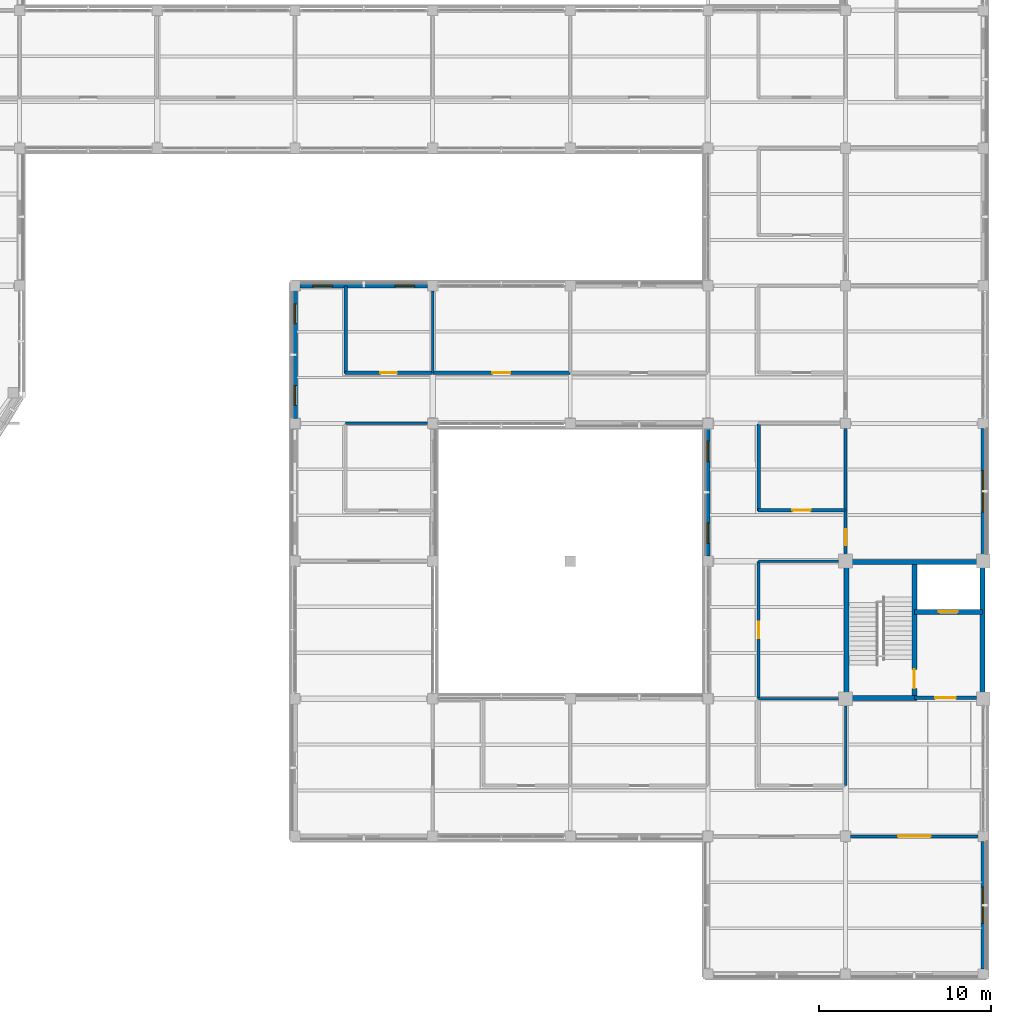
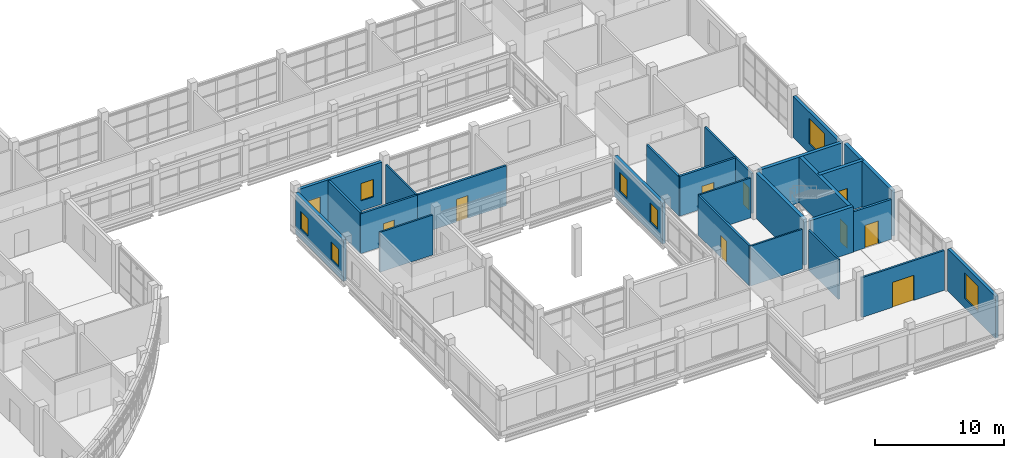
# One storey, part 93 of 121: 25 walls, 9 doors, 8 windows, 17 openings.
"""IFC4 building model written with IfcOpenShell, lengths in metres."""

from ifc_helpers import new_model, si_unit, derived_unit, direction, frame, frame_2d, origin, place, context, subcontext, project, spatial, rectangle, extrude, material, layer, layer_set, type_object, element, fill, save


model = new_model("IFC4")

# Units and contexts
model_context = context("Model", 3, precision=1e-05, world=origin(), true_north=direction((0.0, 1.0)))
body_context = subcontext(model_context, "Body", "Model", "MODEL_VIEW")
ifc_project = project(units=[si_unit("LENGTHUNIT", "METRE"), si_unit("AREAUNIT", "SQUARE_METRE"), si_unit("VOLUMEUNIT", "CUBIC_METRE"), si_unit("PLANEANGLEUNIT", "RADIAN"), si_unit("MASSUNIT", "GRAM", prefix="KILO"), derived_unit("THERMALTRANSMITTANCEUNIT", [(si_unit("MASSUNIT", "GRAM", prefix="KILO"), 1), (si_unit("TIMEUNIT", "SECOND"), -3), (si_unit("THERMODYNAMICTEMPERATUREUNIT", "KELVIN"), -1)])], contexts=[model_context])

# Site, building, storey
site_placement = place(None, origin())
site = spatial("IfcSite", under=ifc_project, at=site_placement, CompositionType="ELEMENT")
building_placement = place(site_placement, origin())
building = spatial("IfcBuilding", under=site, at=building_placement, Name="Veyamyaing Civic Hall", CompositionType="ELEMENT")
storey_placement = place(building_placement, frame((0.0, 0.0, 5.280029296875)))
storey = spatial("IfcBuildingStorey", under=building, at=storey_placement, Name="L01", CompositionType="ELEMENT", Elevation=5.280029296875)

# Walls
ifc_material_1 = material(Name="Concrete C40/50", Category="concrete")
ifc_layer_1 = layer(ifc_material_1, 0.300048828125, Name="Concrete C40/50")
ifc_layer_set_1 = layer_set([ifc_layer_1], Name="Concrete C40/50")
wall_type_1 = type_object("IfcWallType", Name="WT-05", PredefinedType="SHEAR", material=ifc_layer_set_1)
for number, where, z_axis, x_axis, name in (
    (1, (168.050048828125, 16.2900390625, 0.0), (0.0, 0.0, 1.0), (0.0, 1.0, 0.0), "Core shear wall WT-05 CORE-8 L01.W"),
    (2, (168.2900390625, 23.949951171875, 0.0), (0.0, 0.0, 1.0), (1.0, 0.0, 0.0), "Core shear wall WT-05 CORE-8 L01.N"),
    (3, (175.949951171875, 16.2900390625, 0.0), (0.0, 0.0, 1.0), (0.0, 1.0, 0.0), "Core shear wall WT-05 CORE-8 L01.E"),
):
    element("IfcWall", number, at=place(storey_placement, frame(where, z_axis=z_axis, x_axis=x_axis)), inside=storey, type_object=wall_type_1, Name=name, PredefinedType="SHEAR", context=body_context, shape_type="SweptSolid", body=[
        extrude(rectangle(XDim=7.419921875, YDim=0.300048828125, at=frame_2d((3.7099609375, 0.0))), origin(), (0.0, 0.0, 1.0), 4.3349609375),
    ])
wall_1_placement = place(storey_placement, frame((168.2900390625, 16.050048828125, 0.0), z_axis=(0.0, 0.0, 1.0), x_axis=(1.0, 0.0, 0.0)))
element("IfcWall", 4, at=wall_1_placement, inside=storey, type_object=wall_type_1, Name="Core shear wall WT-05 CORE-8 L01.SS", PredefinedType="SHEAR", context=body_context, shape_type="SweptSolid", body=[
    extrude(rectangle(XDim=3.85986328125, YDim=0.300048828125, at=frame_2d((1.929931640625, 0.0))), origin(), (0.0, 0.0, 1.0), 4.3349609375),
])

# Wall, opening, door
wall_2_placement = place(storey_placement, frame((172.0, 16.050048828125, 0.0), z_axis=(0.0, 0.0, 1.0), x_axis=(0.0, 1.0, 0.0)))
wall_2 = element("IfcWall", 5, at=wall_2_placement, inside=storey, type_object=wall_type_1, Name="Core shear wall WT-05 CORE-8 L01.MID", PredefinedType="SHEAR", context=body_context, shape_type="SweptSolid", body=[
    extrude(rectangle(XDim=7.89990234375, YDim=0.300048828125, at=frame_2d((3.949951171875, 0.0))), origin(), (0.0, 0.0, 1.0), 4.3349609375),
])
opening_1_placement = place(wall_2_placement, frame((0.550048828125, 0.0, 0.0)))
opening_1 = element("IfcOpeningElement", 6, at=opening_1_placement, cuts=wall_2, Name="Opening D-03", PredefinedType="OPENING", context=body_context, shape_type="SweptSolid", body=[
    extrude(rectangle(XDim=1.10009765625, YDim=2.14990234375, at=frame_2d((0.550048828125, 1.074951171875))), frame((0.0, 0.159912109375, 0.0), z_axis=(0.0, -1.0, 0.0), x_axis=(1.0, 0.0, 0.0)), (0.0, 0.0, 1.0), 0.320068359375),
])
ifc_material_2 = material(Name="Galvanized steel S355J2", Category="steel")
door_type_1 = type_object("IfcDoorType", Name="D-03", OperationType="NOTDEFINED", PredefinedType="DOOR", material=ifc_material_2)
door_1_placement = place(opening_1_placement, origin())
door_1 = element("IfcDoor", 7, at=door_1_placement, inside=storey, type_object=door_type_1, Name="Exit stair fire door D-03 ST-10 L01", OperationType="SINGLE_SWING_LEFT", OverallHeight=2.14990234375, OverallWidth=1.10009765625, PredefinedType="DOOR", context=body_context, shape_type="SweptSolid", body=[
    extrude(rectangle(XDim=1.10009765625, YDim=2.14990234375, at=frame_2d((0.550048828125, 1.074951171875))), frame((0.0, 0.02490234375, 0.0), z_axis=(0.0, -1.0, 0.0), x_axis=(1.0, 0.0, 0.0)), (0.0, 0.0, 1.0), 0.050048828125),
])
fill(opening_1, door_1)

wall_3_placement = place(storey_placement, frame((172.0, 21.050048828125, 0.0), z_axis=(0.0, 0.0, 1.0), x_axis=(1.0, 0.0, 0.0)))
wall_3 = element("IfcWall", 8, at=wall_3_placement, inside=storey, type_object=wall_type_1, Name="Core shear wall WT-05 CORE-8 L01.LFT", PredefinedType="SHEAR", context=body_context, shape_type="SweptSolid", body=[
    extrude(rectangle(XDim=3.949951171875, YDim=0.300048828125, at=frame_2d((1.97509765625, 0.0))), origin(), (0.0, 0.0, 1.0), 4.3349609375),
])
opening_2_placement = place(wall_3_placement, frame((1.425048828125, 0.0, 0.0)))
opening_2 = element("IfcOpeningElement", 9, at=opening_2_placement, cuts=wall_3, Name="Opening LD-01", PredefinedType="OPENING", context=body_context, shape_type="SweptSolid", body=[
    extrude(rectangle(XDim=1.10009765625, YDim=2.199951171875, at=frame_2d((0.550048828125, 1.10009765625))), frame((0.0, 0.159912109375, 0.0), z_axis=(0.0, -1.0, 0.0), x_axis=(1.0, 0.0, 0.0)), (0.0, 0.0, 1.0), 0.320068359375),
])
ifc_material_3 = material(Name="Anodised aluminium 6063-T6", Category="aluminium")
door_type_2 = type_object("IfcDoorType", Name="LD-01", OperationType="SLIDING_TO_LEFT", PredefinedType="DOOR", material=ifc_material_3)
door_2_placement = place(opening_2_placement, origin())
door_2 = element("IfcDoor", 10, at=door_2_placement, inside=storey, type_object=door_type_2, Name="Lift sliding landing door LD-01 PL-06 L01", OperationType="SLIDING_TO_LEFT", OverallHeight=2.199951171875, OverallWidth=1.10009765625, PredefinedType="DOOR", context=body_context, shape_type="SweptSolid", body=[
    extrude(rectangle(XDim=1.10009765625, YDim=2.199951171875, at=frame_2d((0.550048828125, 1.10009765625))), frame((0.0, 0.02490234375, 0.0), z_axis=(0.0, -1.0, 0.0), x_axis=(1.0, 0.0, 0.0)), (0.0, 0.0, 1.0), 0.050048828125),
])
fill(opening_2, door_2)

ifc_layer_2 = layer(ifc_material_1, 0.199951171875, Name="Concrete C40/50")
ifc_layer_set_2 = layer_set([ifc_layer_2], Name="Concrete C40/50")
wall_type_2 = type_object("IfcWallType", Name="WT-06", PredefinedType="PARTITIONING", material=ifc_layer_set_2)
wall_4_placement = place(storey_placement, frame((172.0, 16.050048828125, 0.0), z_axis=(0.0, 0.0, 1.0), x_axis=(1.0, 0.0, 0.0)))
wall_4 = element("IfcWall", 11, at=wall_4_placement, inside=storey, type_object=wall_type_2, Name="Firefighting lift lobby wall WT-06 CORE-8 L01", PredefinedType="PARTITIONING", context=body_context, shape_type="SweptSolid", body=[
    extrude(rectangle(XDim=3.610107421875, YDim=0.199951171875, at=frame_2d((1.80517578125, 0.0))), origin(), (0.0, 0.0, 1.0), 3.781005859375),
])
opening_3_placement = place(wall_4_placement, frame((1.205078125, 0.0, 0.0)))
opening_3 = element("IfcOpeningElement", 12, at=opening_3_placement, cuts=wall_4, Name="Opening D-04", PredefinedType="OPENING", context=body_context, shape_type="SweptSolid", body=[
    extrude(rectangle(XDim=1.199951171875, YDim=2.14990234375, at=frame_2d((0.60009765625, 1.074951171875))), frame((0.0, 0.10986328125, 0.0), z_axis=(0.0, -1.0, 0.0), x_axis=(1.0, 0.0, 0.0)), (0.0, 0.0, 1.0), 0.219970703125),
])
door_type_3 = type_object("IfcDoorType", Name="D-04", OperationType="NOTDEFINED", PredefinedType="DOOR", material=ifc_material_2)
door_3_placement = place(opening_3_placement, frame((1.199951171875, 0.0, 0.0), z_axis=(0.0, 0.0, 1.0), x_axis=(-1.0, 0.0, 0.0)))
door_3 = element("IfcDoor", 13, at=door_3_placement, inside=storey, type_object=door_type_3, Name="Protected lobby fire door D-04 CORE-8 L01", OperationType="SINGLE_SWING_RIGHT", OverallHeight=2.14990234375, OverallWidth=1.199951171875, PredefinedType="DOOR", context=body_context, shape_type="SweptSolid", body=[
    extrude(rectangle(XDim=1.199951171875, YDim=2.14990234375, at=frame_2d((0.60009765625, 1.074951171875))), frame((0.0, 0.02490234375, 0.0), z_axis=(0.0, -1.0, 0.0), x_axis=(1.0, 0.0, 0.0)), (0.0, 0.0, 1.0), 0.050048828125),
])
fill(opening_3, door_3)

ifc_material_4 = material(Name="Gypsum board on acoustic steel stud", Category="steel")
ifc_layer_3 = layer(ifc_material_4, 0.175048828125, Name="Gypsum board on acoustic steel stud")
ifc_layer_set_3 = layer_set([ifc_layer_3], Name="Gypsum board on acoustic steel stud")
wall_type_3 = type_object("IfcWallType", Name="WT-07", PredefinedType="PARTITIONING", material=ifc_layer_set_3)
wall_5_placement = place(storey_placement, frame((162.949951171875, 16.02001953125, 0.0), z_axis=(0.0, 0.0, 1.0), x_axis=(0.0, 1.0, 0.0)))
wall_5 = element("IfcWall", 14, at=wall_5_placement, inside=storey, type_object=wall_type_3, Name="Corridor gallery partition WT-07 L01.77.1", PredefinedType="PARTITIONING", context=body_context, shape_type="SweptSolid", body=[
    extrude(rectangle(XDim=7.9599609375, YDim=0.175048828125, at=frame_2d((3.97998046875, 0.0))), origin(), (0.0, 0.0, 1.0), 3.77099609375),
])
opening_4_placement = place(wall_5_placement, frame((3.510009765625, 0.0, 0.0)))
opening_4 = element("IfcOpeningElement", 15, at=opening_4_placement, cuts=wall_5, Name="Opening D-30", PredefinedType="OPENING", context=body_context, shape_type="SweptSolid", body=[
    extrude(rectangle(XDim=0.93994140625, YDim=2.1201171875, at=frame_2d((0.469970703125, 1.06005859375))), frame((0.0, 0.097412109375, 0.0), z_axis=(0.0, -1.0, 0.0), x_axis=(1.0, 0.0, 0.0)), (0.0, 0.0, 1.0), 0.195068359375),
])
ifc_material_5 = material(Name="Teak-veneered acoustic timber", Category="wood")
door_type_4 = type_object("IfcDoorType", Name="D-30", OperationType="NOTDEFINED", PredefinedType="DOOR", material=ifc_material_5)
door_4_placement = place(opening_4_placement, frame((0.93994140625, 0.0, 0.0), z_axis=(0.0, 0.0, 1.0), x_axis=(-1.0, 0.0, 0.0)))
door_4 = element("IfcDoor", 16, at=door_4_placement, inside=storey, type_object=door_type_4, Name="Gallery office door D-30 L01.77", OperationType="SINGLE_SWING_LEFT", OverallHeight=2.1201171875, OverallWidth=0.93994140625, PredefinedType="DOOR", context=body_context, shape_type="SweptSolid", body=[
    extrude(rectangle(XDim=0.93994140625, YDim=2.1201171875, at=frame_2d((0.469970703125, 1.06005859375))), frame((0.0, 0.02490234375, 0.0), z_axis=(0.0, -1.0, 0.0), x_axis=(1.0, 0.0, 0.0)), (0.0, 0.0, 1.0), 0.050048828125),
])
fill(opening_4, door_4)

wall_6_placement = place(storey_placement, frame((168.0, 24.389892578125, 0.0), z_axis=(0.0, 0.0, 1.0), x_axis=(0.0, 1.0, 0.0)))
wall_6 = element("IfcWall", 17, at=wall_6_placement, inside=storey, type_object=wall_type_3, Name="Interior partition wall WT-07 L01.107", PredefinedType="PARTITIONING", context=body_context, shape_type="SweptSolid", body=[
    extrude(rectangle(XDim=7.320068359375, YDim=0.175048828125, at=frame_2d((3.66015625, 0.0))), origin(), (0.0, 0.0, 1.0), 3.786865234375),
])
opening_5_placement = place(wall_6_placement, frame((0.52001953125, 0.0, 0.0)))
opening_5 = element("IfcOpeningElement", 18, at=opening_5_placement, cuts=wall_6, Name="Opening D-30", PredefinedType="OPENING", context=body_context, shape_type="SweptSolid", body=[
    extrude(rectangle(XDim=0.93994140625, YDim=2.1201171875, at=frame_2d((0.469970703125, 1.06005859375))), frame((0.0, 0.097412109375, 0.0), z_axis=(0.0, -1.0, 0.0), x_axis=(1.0, 0.0, 0.0)), (0.0, 0.0, 1.0), 0.195068359375),
])
door_5_placement = place(opening_5_placement, frame((0.93994140625, 0.0, 0.0), z_axis=(0.0, 0.0, 1.0), x_axis=(-1.0, 0.0, 0.0)))
door_5 = element("IfcDoor", 19, at=door_5_placement, inside=storey, type_object=door_type_4, Name="Interior door D-30 L01.107", OperationType="SINGLE_SWING_RIGHT", OverallHeight=2.1201171875, OverallWidth=0.93994140625, PredefinedType="DOOR", context=body_context, shape_type="SweptSolid", body=[
    extrude(rectangle(XDim=0.93994140625, YDim=2.1201171875, at=frame_2d((0.469970703125, 1.06005859375))), frame((0.0, 0.02490234375, 0.0), z_axis=(0.0, -1.0, 0.0), x_axis=(1.0, 0.0, 0.0)), (0.0, 0.0, 1.0), 0.050048828125),
])
fill(opening_5, door_5)

wall_7_placement = place(storey_placement, frame((168.2900390625, 8.0, 0.0), z_axis=(0.0, 0.0, 1.0), x_axis=(1.0, 0.0, 0.0)))
wall_7 = element("IfcWall", 20, at=wall_7_placement, inside=storey, type_object=wall_type_3, Name="Interior partition wall WT-07 L01.113", PredefinedType="PARTITIONING", context=body_context, shape_type="SweptSolid", body=[
    extrude(rectangle(XDim=7.419921875, YDim=0.175048828125, at=frame_2d((3.7099609375, 0.0))), origin(), (0.0, 0.0, 1.0), 3.77099609375),
])
opening_6_placement = place(wall_7_placement, frame((2.760009765625, 0.0, 0.0)))
opening_6 = element("IfcOpeningElement", 21, at=opening_6_placement, cuts=wall_7, Name="Opening D-31", PredefinedType="OPENING", context=body_context, shape_type="SweptSolid", body=[
    extrude(rectangle(XDim=1.89990234375, YDim=2.3798828125, at=frame_2d((0.949951171875, 1.18994140625))), frame((0.0, 0.097412109375, 0.0), z_axis=(0.0, -1.0, 0.0), x_axis=(1.0, 0.0, 0.0)), (0.0, 0.0, 1.0), 0.195068359375),
])
door_type_5 = type_object("IfcDoorType", Name="D-31", OperationType="DOUBLE_DOOR_SINGLE_SWING", PredefinedType="DOOR", material=ifc_material_5)
door_6_placement = place(opening_6_placement, frame((1.89990234375, 0.0, 0.0), z_axis=(0.0, 0.0, 1.0), x_axis=(-1.0, 0.0, 0.0)))
door_6 = element("IfcDoor", 22, at=door_6_placement, inside=storey, type_object=door_type_5, Name="Interior door D-31 L01.113", OperationType="DOUBLE_DOOR_SINGLE_SWING", OverallHeight=2.3798828125, OverallWidth=1.89990234375, PredefinedType="DOOR", context=body_context, shape_type="SweptSolid", body=[
    extrude(rectangle(XDim=1.89990234375, YDim=2.3798828125, at=frame_2d((0.949951171875, 1.18994140625))), frame((0.0, 0.02490234375, 0.0), z_axis=(0.0, -1.0, 0.0), x_axis=(1.0, 0.0, 0.0)), (0.0, 0.0, 1.0), 0.050048828125),
])
fill(opening_6, door_6)

# Walls
ifc_material_6 = material(Name="Gypsum board on steel stud", Category="steel")
ifc_layer_4 = layer(ifc_material_6, 0.14990234375, Name="Gypsum board on steel stud")
ifc_layer_set_4 = layer_set([ifc_layer_4], Name="Gypsum board on steel stud")
wall_type_4 = type_object("IfcWallType", Name="WT-08", PredefinedType="PARTITIONING", material=ifc_layer_set_4)
wall_8_placement = place(storey_placement, frame((138.949951171875, 32.0, 0.0), z_axis=(0.0, 0.0, 1.0), x_axis=(1.0, 0.0, 0.0)))
element("IfcWall", 23, at=wall_8_placement, inside=storey, type_object=wall_type_4, Name="Gallery office end partition WT-08 L01.63.1", PredefinedType="PARTITIONING", context=body_context, shape_type="SweptSolid", body=[
    extrude(rectangle(XDim=4.739990234375, YDim=0.14990234375, at=frame_2d((2.3701171875, 0.0))), origin(), (0.0, 0.0, 1.0), 3.786865234375),
])
wall_9_placement = place(storey_placement, frame((144.0, 34.949951171875, 0.0), z_axis=(0.0, 0.0, 1.0), x_axis=(0.0, 1.0, 0.0)))
element("IfcWall", 24, at=wall_9_placement, inside=storey, type_object=wall_type_4, Name="Gallery office end partition WT-08 L01.64.2", PredefinedType="PARTITIONING", context=body_context, shape_type="SweptSolid", body=[
    extrude(rectangle(XDim=4.739990234375, YDim=0.14990234375, at=frame_2d((2.3701171875, 0.0))), origin(), (0.0, 0.0, 1.0), 3.781005859375),
])
wall_10_placement = place(storey_placement, frame((162.949951171875, 16.0, 0.0), z_axis=(0.0, 0.0, 1.0), x_axis=(1.0, 0.0, 0.0)))
element("IfcWall", 25, at=wall_10_placement, inside=storey, type_object=wall_type_4, Name="Gallery office end partition WT-08 L01.76.1", PredefinedType="PARTITIONING", context=body_context, shape_type="SweptSolid", body=[
    extrude(rectangle(XDim=4.64013671875, YDim=0.14990234375, at=frame_2d((2.320068359375, 0.0))), origin(), (0.0, 0.0, 1.0), 3.77099609375),
])
for number, where, z_axis, x_axis, name in (
    (26, (168.0, 10.949951171875, 0.0), (0.0, 0.0, 1.0), (0.0, 1.0, 0.0), "Gallery office end partition WT-08 L01.76.2"),
    (27, (162.949951171875, 24.0, 0.0), (0.0, 0.0, 1.0), (1.0, 0.0, 0.0), "Gallery office end partition WT-08 L01.77.2"),
):
    element("IfcWall", number, at=place(storey_placement, frame(where, z_axis=z_axis, x_axis=x_axis)), inside=storey, type_object=wall_type_4, Name=name, PredefinedType="PARTITIONING", context=body_context, shape_type="SweptSolid", body=[
        extrude(rectangle(XDim=4.64013671875, YDim=0.14990234375, at=frame_2d((2.320068359375, 0.0))), origin(), (0.0, 0.0, 1.0), 3.781005859375),
    ])

# Wall, openings, windows
ifc_material_7 = material(Name="Precast concrete C40/50", Category="concrete")
ifc_layer_5 = layer(ifc_material_7, 0.27001953125, Name="Precast concrete C40/50")
ifc_layer_set_5 = layer_set([ifc_layer_5], Name="Precast concrete C40/50")
wall_type_5 = type_object("IfcWallType", Name="WT-18", PredefinedType="SOLIDWALL", material=ifc_layer_set_5)
wall_11_placement = place(storey_placement, frame((136.284912109375, 40.0, 0.0), z_axis=(0.0, 0.0, 1.0), x_axis=(1.0, 0.0, 0.0)))
wall_11 = element("IfcWall", 28, at=wall_11_placement, inside=storey, type_object=wall_type_5, Name="Exterior facade wall WT-18 L01 N 18.5", PredefinedType="SOLIDWALL", context=body_context, shape_type="SweptSolid", body=[
    extrude(rectangle(XDim=7.43017578125, YDim=0.27001953125, at=frame_2d((3.715087890625, 0.0))), origin(), (0.0, 0.0, 1.0), 3.97705078125),
])
opening_7_placement = place(wall_11_placement, frame((0.762451171875, 0.0, 0.949951171875)))
opening_7 = element("IfcOpeningElement", 29, at=opening_7_placement, cuts=wall_11, Name="Opening W-32", PredefinedType="OPENING", context=body_context, shape_type="SweptSolid", body=[
    extrude(rectangle(XDim=1.14990234375, YDim=1.64990234375, at=frame_2d((0.574951171875, 0.824951171875))), frame((0.0, 0.14501953125, 0.0), z_axis=(0.0, -1.0, 0.0), x_axis=(1.0, 0.0, 0.0)), (0.0, 0.0, 1.0), 0.2900390625),
])
opening_8_placement = place(wall_11_placement, frame((5.517578125, 0.0, 0.949951171875)))
opening_8 = element("IfcOpeningElement", 30, at=opening_8_placement, cuts=wall_11, Name="Opening W-32", PredefinedType="OPENING", context=body_context, shape_type="SweptSolid", body=[
    extrude(rectangle(XDim=1.14990234375, YDim=1.64990234375, at=frame_2d((0.574951171875, 0.824951171875))), frame((0.0, 0.14501953125, 0.0), z_axis=(0.0, -1.0, 0.0), x_axis=(1.0, 0.0, 0.0)), (0.0, 0.0, 1.0), 0.2900390625),
])
ifc_material_8 = material(Name="Low-E insulated glass", Category="glass")
window_type_1 = type_object("IfcWindowType", Name="W-32", PartitioningType="SINGLE_PANEL", PredefinedType="WINDOW", material=ifc_material_8)
window_1_placement = place(opening_7_placement, origin())
window_1 = element("IfcWindow", 31, at=window_1_placement, inside=storey, type_object=window_type_1, Name="Facade window W-32 L01 N 18.5.1", OverallHeight=1.64990234375, OverallWidth=1.14990234375, PartitioningType="SINGLE_PANEL", PredefinedType="WINDOW", context=body_context, shape_type="SweptSolid", body=[
    extrude(rectangle(XDim=1.14990234375, YDim=1.64990234375, at=frame_2d((0.574951171875, 0.824951171875))), frame((0.0, 0.030029296875, 0.0), z_axis=(0.0, -1.0, 0.0), x_axis=(1.0, 0.0, 0.0)), (0.0, 0.0, 1.0), 0.06005859375),
])
fill(opening_7, window_1)
window_2_placement = place(opening_8_placement, origin())
window_2 = element("IfcWindow", 32, at=window_2_placement, inside=storey, type_object=window_type_1, Name="Facade window W-32 L01 N 18.5.2", OverallHeight=1.64990234375, OverallWidth=1.14990234375, PartitioningType="SINGLE_PANEL", PredefinedType="WINDOW", context=body_context, shape_type="SweptSolid", body=[
    extrude(rectangle(XDim=1.14990234375, YDim=1.64990234375, at=frame_2d((0.574951171875, 0.824951171875))), frame((0.0, 0.030029296875, 0.0), z_axis=(0.0, -1.0, 0.0), x_axis=(1.0, 0.0, 0.0)), (0.0, 0.0, 1.0), 0.06005859375),
])
fill(opening_8, window_2)

wall_12_placement = place(storey_placement, frame((136.0, 32.284912109375, 0.0), z_axis=(0.0, 0.0, 1.0), x_axis=(0.0, 1.0, 0.0)))
wall_12 = element("IfcWall", 33, at=wall_12_placement, inside=storey, type_object=wall_type_5, Name="Exterior facade wall WT-18 L01 W 18.5", PredefinedType="SOLIDWALL", context=body_context, shape_type="SweptSolid", body=[
    extrude(rectangle(XDim=7.43017578125, YDim=0.27001953125, at=frame_2d((3.715087890625, 0.0))), origin(), (0.0, 0.0, 1.0), 3.9140625),
])
opening_9_placement = place(wall_12_placement, frame((0.762451171875, 0.0, 0.949951171875)))
opening_9 = element("IfcOpeningElement", 34, at=opening_9_placement, cuts=wall_12, Name="Opening W-32", PredefinedType="OPENING", context=body_context, shape_type="SweptSolid", body=[
    extrude(rectangle(XDim=1.14990234375, YDim=1.64990234375, at=frame_2d((0.574951171875, 0.824951171875))), frame((0.0, 0.14501953125, 0.0), z_axis=(0.0, -1.0, 0.0), x_axis=(1.0, 0.0, 0.0)), (0.0, 0.0, 1.0), 0.2900390625),
])
opening_10_placement = place(wall_12_placement, frame((5.517578125, 0.0, 0.949951171875)))
opening_10 = element("IfcOpeningElement", 35, at=opening_10_placement, cuts=wall_12, Name="Opening W-32", PredefinedType="OPENING", context=body_context, shape_type="SweptSolid", body=[
    extrude(rectangle(XDim=1.14990234375, YDim=1.64990234375, at=frame_2d((0.574951171875, 0.824951171875))), frame((0.0, 0.14501953125, 0.0), z_axis=(0.0, -1.0, 0.0), x_axis=(1.0, 0.0, 0.0)), (0.0, 0.0, 1.0), 0.2900390625),
])
window_3_placement = place(opening_9_placement, origin())
window_3 = element("IfcWindow", 36, at=window_3_placement, inside=storey, type_object=window_type_1, Name="Facade window W-32 L01 W 18.5.1", OverallHeight=1.64990234375, OverallWidth=1.14990234375, PartitioningType="SINGLE_PANEL", PredefinedType="WINDOW", context=body_context, shape_type="SweptSolid", body=[
    extrude(rectangle(XDim=1.14990234375, YDim=1.64990234375, at=frame_2d((0.574951171875, 0.824951171875))), frame((0.0, 0.030029296875, 0.0), z_axis=(0.0, -1.0, 0.0), x_axis=(1.0, 0.0, 0.0)), (0.0, 0.0, 1.0), 0.06005859375),
])
fill(opening_9, window_3)
window_4_placement = place(opening_10_placement, origin())
window_4 = element("IfcWindow", 37, at=window_4_placement, inside=storey, type_object=window_type_1, Name="Facade window W-32 L01 W 18.5.2", OverallHeight=1.64990234375, OverallWidth=1.14990234375, PartitioningType="SINGLE_PANEL", PredefinedType="WINDOW", context=body_context, shape_type="SweptSolid", body=[
    extrude(rectangle(XDim=1.14990234375, YDim=1.64990234375, at=frame_2d((0.574951171875, 0.824951171875))), frame((0.0, 0.030029296875, 0.0), z_axis=(0.0, -1.0, 0.0), x_axis=(1.0, 0.0, 0.0)), (0.0, 0.0, 1.0), 0.06005859375),
])
fill(opening_10, window_4)

wall_13_placement = place(storey_placement, frame((160.0, 24.284912109375, 0.0), z_axis=(0.0, 0.0, 1.0), x_axis=(0.0, 1.0, 0.0)))
wall_13 = element("IfcWall", 38, at=wall_13_placement, inside=storey, type_object=wall_type_5, Name="Exterior facade wall WT-18 L01 W 21.4", PredefinedType="SOLIDWALL", context=body_context, shape_type="SweptSolid", body=[
    extrude(rectangle(XDim=7.43017578125, YDim=0.27001953125, at=frame_2d((3.715087890625, 0.0))), origin(), (0.0, 0.0, 1.0), 3.85791015625),
])
opening_11_placement = place(wall_13_placement, frame((0.7373046875, 0.0, 0.949951171875)))
opening_11 = element("IfcOpeningElement", 39, at=opening_11_placement, cuts=wall_13, Name="Opening W-14", PredefinedType="OPENING", context=body_context, shape_type="SweptSolid", body=[
    extrude(rectangle(XDim=1.199951171875, YDim=1.800048828125, at=frame_2d((0.60009765625, 0.89990234375))), frame((0.0, 0.14501953125, 0.0), z_axis=(0.0, -1.0, 0.0), x_axis=(1.0, 0.0, 0.0)), (0.0, 0.0, 1.0), 0.2900390625),
])
opening_12_placement = place(wall_13_placement, frame((5.49267578125, 0.0, 0.949951171875)))
opening_12 = element("IfcOpeningElement", 40, at=opening_12_placement, cuts=wall_13, Name="Opening W-14", PredefinedType="OPENING", context=body_context, shape_type="SweptSolid", body=[
    extrude(rectangle(XDim=1.199951171875, YDim=1.800048828125, at=frame_2d((0.60009765625, 0.89990234375))), frame((0.0, 0.14501953125, 0.0), z_axis=(0.0, -1.0, 0.0), x_axis=(1.0, 0.0, 0.0)), (0.0, 0.0, 1.0), 0.2900390625),
])
window_type_2 = type_object("IfcWindowType", Name="W-14", PartitioningType="SINGLE_PANEL", PredefinedType="WINDOW", material=ifc_material_8)
window_5_placement = place(opening_11_placement, origin())
window_5 = element("IfcWindow", 41, at=window_5_placement, inside=storey, type_object=window_type_2, Name="Facade window W-14 L01 W 21.4.1", OverallHeight=1.800048828125, OverallWidth=1.199951171875, PartitioningType="SINGLE_PANEL", PredefinedType="WINDOW", context=body_context, shape_type="SweptSolid", body=[
    extrude(rectangle(XDim=1.199951171875, YDim=1.800048828125, at=frame_2d((0.60009765625, 0.89990234375))), frame((0.0, 0.030029296875, 0.0), z_axis=(0.0, -1.0, 0.0), x_axis=(1.0, 0.0, 0.0)), (0.0, 0.0, 1.0), 0.06005859375),
])
fill(opening_11, window_5)
window_6_placement = place(opening_12_placement, origin())
window_6 = element("IfcWindow", 42, at=window_6_placement, inside=storey, type_object=window_type_2, Name="Facade window W-14 L01 W 21.4.2", OverallHeight=1.800048828125, OverallWidth=1.199951171875, PartitioningType="SINGLE_PANEL", PredefinedType="WINDOW", context=body_context, shape_type="SweptSolid", body=[
    extrude(rectangle(XDim=1.199951171875, YDim=1.800048828125, at=frame_2d((0.60009765625, 0.89990234375))), frame((0.0, 0.030029296875, 0.0), z_axis=(0.0, -1.0, 0.0), x_axis=(1.0, 0.0, 0.0)), (0.0, 0.0, 1.0), 0.06005859375),
])
fill(opening_12, window_6)

# Wall, opening, window
wall_14_placement = place(storey_placement, frame((176.0, 0.284912109375, 0.0), z_axis=(0.0, 0.0, 1.0), x_axis=(0.0, 1.0, 0.0)))
wall_14 = element("IfcWall", 43, at=wall_14_placement, inside=storey, type_object=wall_type_5, Name="Exterior facade wall WT-18 L01 E 22.1", PredefinedType="SOLIDWALL", context=body_context, shape_type="SweptSolid", body=[
    extrude(rectangle(XDim=7.43017578125, YDim=0.27001953125, at=frame_2d((3.715087890625, 0.0))), origin(), (0.0, 0.0, 1.0), 3.97705078125),
])
opening_13_placement = place(wall_14_placement, frame((2.6650390625, 0.0, 0.89990234375)))
opening_13 = element("IfcOpeningElement", 44, at=opening_13_placement, cuts=wall_14, Name="Opening W-05", PredefinedType="OPENING", context=body_context, shape_type="SweptSolid", body=[
    extrude(rectangle(XDim=2.10009765625, YDim=2.39990234375, at=frame_2d((1.050048828125, 1.199951171875))), frame((0.0, 0.14501953125, 0.0), z_axis=(0.0, -1.0, 0.0), x_axis=(1.0, 0.0, 0.0)), (0.0, 0.0, 1.0), 0.2900390625),
])
window_type_3 = type_object("IfcWindowType", Name="W-05", PartitioningType="SINGLE_PANEL", PredefinedType="WINDOW", material=ifc_material_8)
window_7_placement = place(opening_13_placement, origin())
window_7 = element("IfcWindow", 45, at=window_7_placement, inside=storey, type_object=window_type_3, Name="Facade window W-05 L01 E 22.1", OverallHeight=2.39990234375, OverallWidth=2.10009765625, PartitioningType="SINGLE_PANEL", PredefinedType="WINDOW", context=body_context, shape_type="SweptSolid", body=[
    extrude(rectangle(XDim=2.10009765625, YDim=2.39990234375, at=frame_2d((1.050048828125, 1.199951171875))), frame((0.0, 0.030029296875, 0.0), z_axis=(0.0, -1.0, 0.0), x_axis=(1.0, 0.0, 0.0)), (0.0, 0.0, 1.0), 0.06005859375),
])
fill(opening_13, window_7)

wall_15_placement = place(storey_placement, frame((176.0, 24.385009765625, 0.0), z_axis=(0.0, 0.0, 1.0), x_axis=(0.0, 1.0, 0.0)))
wall_15 = element("IfcWall", 46, at=wall_15_placement, inside=storey, type_object=wall_type_5, Name="Exterior facade wall WT-18 L01 E 22.4", PredefinedType="SOLIDWALL", context=body_context, shape_type="SweptSolid", body=[
    extrude(rectangle(XDim=7.330078125, YDim=0.27001953125, at=frame_2d((3.6650390625, 0.0))), origin(), (0.0, 0.0, 1.0), 3.9140625),
])
opening_14_placement = place(wall_15_placement, frame((2.465087890625, 0.0, 0.89990234375)))
opening_14 = element("IfcOpeningElement", 47, at=opening_14_placement, cuts=wall_15, Name="Opening W-04", PredefinedType="OPENING", context=body_context, shape_type="SweptSolid", body=[
    extrude(rectangle(XDim=2.39990234375, YDim=2.39990234375, at=frame_2d((1.199951171875, 1.199951171875))), frame((0.0, 0.14501953125, 0.0), z_axis=(0.0, -1.0, 0.0), x_axis=(1.0, 0.0, 0.0)), (0.0, 0.0, 1.0), 0.2900390625),
])
window_type_4 = type_object("IfcWindowType", Name="W-04", PartitioningType="SINGLE_PANEL", PredefinedType="WINDOW", material=ifc_material_8)
window_8_placement = place(opening_14_placement, origin())
window_8 = element("IfcWindow", 48, at=window_8_placement, inside=storey, type_object=window_type_4, Name="Facade window W-04 L01 E 22.4", OverallHeight=2.39990234375, OverallWidth=2.39990234375, PartitioningType="SINGLE_PANEL", PredefinedType="WINDOW", context=body_context, shape_type="SweptSolid", body=[
    extrude(rectangle(XDim=2.39990234375, YDim=2.39990234375, at=frame_2d((1.199951171875, 1.199951171875))), frame((0.0, 0.030029296875, 0.0), z_axis=(0.0, -1.0, 0.0), x_axis=(1.0, 0.0, 0.0)), (0.0, 0.0, 1.0), 0.06005859375),
])
fill(opening_14, window_8)

# Wall, opening, door
ifc_material_9 = material(Name="Gypsum board on double acoustic stud")
ifc_layer_6 = layer(ifc_material_9, 0.18505859375, Name="Gypsum board on double acoustic stud")
ifc_layer_set_6 = layer_set([ifc_layer_6], Name="Gypsum board on double acoustic stud")
wall_type_6 = type_object("IfcWallType", Name="WT-19", PredefinedType="PARTITIONING", material=ifc_layer_set_6)
wall_16_placement = place(storey_placement, frame((138.89990234375, 34.949951171875, 0.0), z_axis=(0.0, 0.0, 1.0), x_axis=(1.0, 0.0, 0.0)))
wall_16 = element("IfcWall", 49, at=wall_16_placement, inside=storey, type_object=wall_type_6, Name="Corridor gallery partition WT-19 L01.64.1", PredefinedType="PARTITIONING", context=body_context, shape_type="SweptSolid", body=[
    extrude(rectangle(XDim=5.080078125, YDim=0.18505859375, at=frame_2d((2.5400390625, 0.0))), origin(), (0.0, 0.0, 1.0), 3.781005859375),
])
opening_15_placement = place(wall_16_placement, frame((2.06005859375, 0.0, 0.0)))
opening_15 = element("IfcOpeningElement", 50, at=opening_15_placement, cuts=wall_16, Name="Opening D-25", PredefinedType="OPENING", context=body_context, shape_type="SweptSolid", body=[
    extrude(rectangle(XDim=0.9599609375, YDim=2.139892578125, at=frame_2d((0.47998046875, 1.06982421875))), frame((0.0, 0.1025390625, 0.0), z_axis=(0.0, -1.0, 0.0), x_axis=(1.0, 0.0, 0.0)), (0.0, 0.0, 1.0), 0.205078125),
])
door_type_6 = type_object("IfcDoorType", Name="D-25", OperationType="NOTDEFINED", PredefinedType="DOOR", material=ifc_material_5)
door_7_placement = place(opening_15_placement, origin())
door_7 = element("IfcDoor", 51, at=door_7_placement, inside=storey, type_object=door_type_6, Name="Gallery office door D-25 L01.64", OperationType="SINGLE_SWING_RIGHT", OverallHeight=2.139892578125, OverallWidth=0.9599609375, PredefinedType="DOOR", context=body_context, shape_type="SweptSolid", body=[
    extrude(rectangle(XDim=0.9599609375, YDim=2.139892578125, at=frame_2d((0.47998046875, 1.06982421875))), frame((0.0, 0.02490234375, 0.0), z_axis=(0.0, -1.0, 0.0), x_axis=(1.0, 0.0, 0.0)), (0.0, 0.0, 1.0), 0.050048828125),
])
fill(opening_15, door_7)

# Wall
wall_17_placement = place(storey_placement, frame((138.949951171875, 34.89990234375, 0.0), z_axis=(0.0, 0.0, 1.0), x_axis=(0.0, 1.0, 0.0)))
element("IfcWall", 52, at=wall_17_placement, inside=storey, type_object=wall_type_6, Name="Corridor gallery partition WT-19 L01.64.2", PredefinedType="PARTITIONING", context=body_context, shape_type="SweptSolid", body=[
    extrude(rectangle(XDim=5.080078125, YDim=0.18505859375, at=frame_2d((2.5400390625, 0.0))), origin(), (0.0, 0.0, 1.0), 3.9130859375),
])

# Wall, opening, door
wall_18_placement = place(storey_placement, frame((144.02001953125, 34.949951171875, 0.0), z_axis=(0.0, 0.0, 1.0), x_axis=(1.0, 0.0, 0.0)))
wall_18 = element("IfcWall", 53, at=wall_18_placement, inside=storey, type_object=wall_type_6, Name="Corridor gallery partition WT-19 L01.68.1", PredefinedType="PARTITIONING", context=body_context, shape_type="SweptSolid", body=[
    extrude(rectangle(XDim=7.9599609375, YDim=0.18505859375, at=frame_2d((3.97998046875, 0.0))), origin(), (0.0, 0.0, 1.0), 3.781005859375),
])
opening_16_placement = place(wall_18_placement, frame((3.455078125, 0.0, 0.0)))
opening_16 = element("IfcOpeningElement", 54, at=opening_16_placement, cuts=wall_18, Name="Opening D-12", PredefinedType="OPENING", context=body_context, shape_type="SweptSolid", body=[
    extrude(rectangle(XDim=1.050048828125, YDim=2.14990234375, at=frame_2d((0.52490234375, 1.074951171875))), frame((0.0, 0.1025390625, 0.0), z_axis=(0.0, -1.0, 0.0), x_axis=(1.0, 0.0, 0.0)), (0.0, 0.0, 1.0), 0.205078125),
])
door_type_7 = type_object("IfcDoorType", Name="D-12", OperationType="NOTDEFINED", PredefinedType="DOOR", material=ifc_material_5)
door_8_placement = place(opening_16_placement, origin())
door_8 = element("IfcDoor", 55, at=door_8_placement, inside=storey, type_object=door_type_7, Name="Gallery office door D-12 L01.68", OperationType="SINGLE_SWING_RIGHT", OverallHeight=2.14990234375, OverallWidth=1.050048828125, PredefinedType="DOOR", context=body_context, shape_type="SweptSolid", body=[
    extrude(rectangle(XDim=1.050048828125, YDim=2.14990234375, at=frame_2d((0.52490234375, 1.074951171875))), frame((0.0, 0.02490234375, 0.0), z_axis=(0.0, -1.0, 0.0), x_axis=(1.0, 0.0, 0.0)), (0.0, 0.0, 1.0), 0.050048828125),
])
fill(opening_16, door_8)

wall_19_placement = place(storey_placement, frame((162.89990234375, 26.949951171875, 0.0), z_axis=(0.0, 0.0, 1.0), x_axis=(1.0, 0.0, 0.0)))
wall_19 = element("IfcWall", 56, at=wall_19_placement, inside=storey, type_object=wall_type_6, Name="Corridor gallery partition WT-19 L01.78.1", PredefinedType="PARTITIONING", context=body_context, shape_type="SweptSolid", body=[
    extrude(rectangle(XDim=5.080078125, YDim=0.18505859375, at=frame_2d((2.5400390625, 0.0))), origin(), (0.0, 0.0, 1.0), 3.786865234375),
])
opening_17_placement = place(wall_19_placement, frame((2.014892578125, 0.0, 0.0)))
opening_17 = element("IfcOpeningElement", 57, at=opening_17_placement, cuts=wall_19, Name="Opening D-12", PredefinedType="OPENING", context=body_context, shape_type="SweptSolid", body=[
    extrude(rectangle(XDim=1.050048828125, YDim=2.14990234375, at=frame_2d((0.52490234375, 1.074951171875))), frame((0.0, 0.1025390625, 0.0), z_axis=(0.0, -1.0, 0.0), x_axis=(1.0, 0.0, 0.0)), (0.0, 0.0, 1.0), 0.205078125),
])
door_9_placement = place(opening_17_placement, origin())
door_9 = element("IfcDoor", 58, at=door_9_placement, inside=storey, type_object=door_type_7, Name="Gallery office door D-12 L01.78", OperationType="SINGLE_SWING_RIGHT", OverallHeight=2.14990234375, OverallWidth=1.050048828125, PredefinedType="DOOR", context=body_context, shape_type="SweptSolid", body=[
    extrude(rectangle(XDim=1.050048828125, YDim=2.14990234375, at=frame_2d((0.52490234375, 1.074951171875))), frame((0.0, 0.02490234375, 0.0), z_axis=(0.0, -1.0, 0.0), x_axis=(1.0, 0.0, 0.0)), (0.0, 0.0, 1.0), 0.050048828125),
])
fill(opening_17, door_9)

# Wall
wall_20_placement = place(storey_placement, frame((162.949951171875, 26.89990234375, 0.0), z_axis=(0.0, 0.0, 1.0), x_axis=(0.0, 1.0, 0.0)))
element("IfcWall", 59, at=wall_20_placement, inside=storey, type_object=wall_type_6, Name="Corridor gallery partition WT-19 L01.78.2", PredefinedType="PARTITIONING", context=body_context, shape_type="SweptSolid", body=[
    extrude(rectangle(XDim=5.080078125, YDim=0.18505859375, at=frame_2d((2.5400390625, 0.0))), origin(), (0.0, 0.0, 1.0), 3.7119140625),
])

save(model, "model.ifc")
